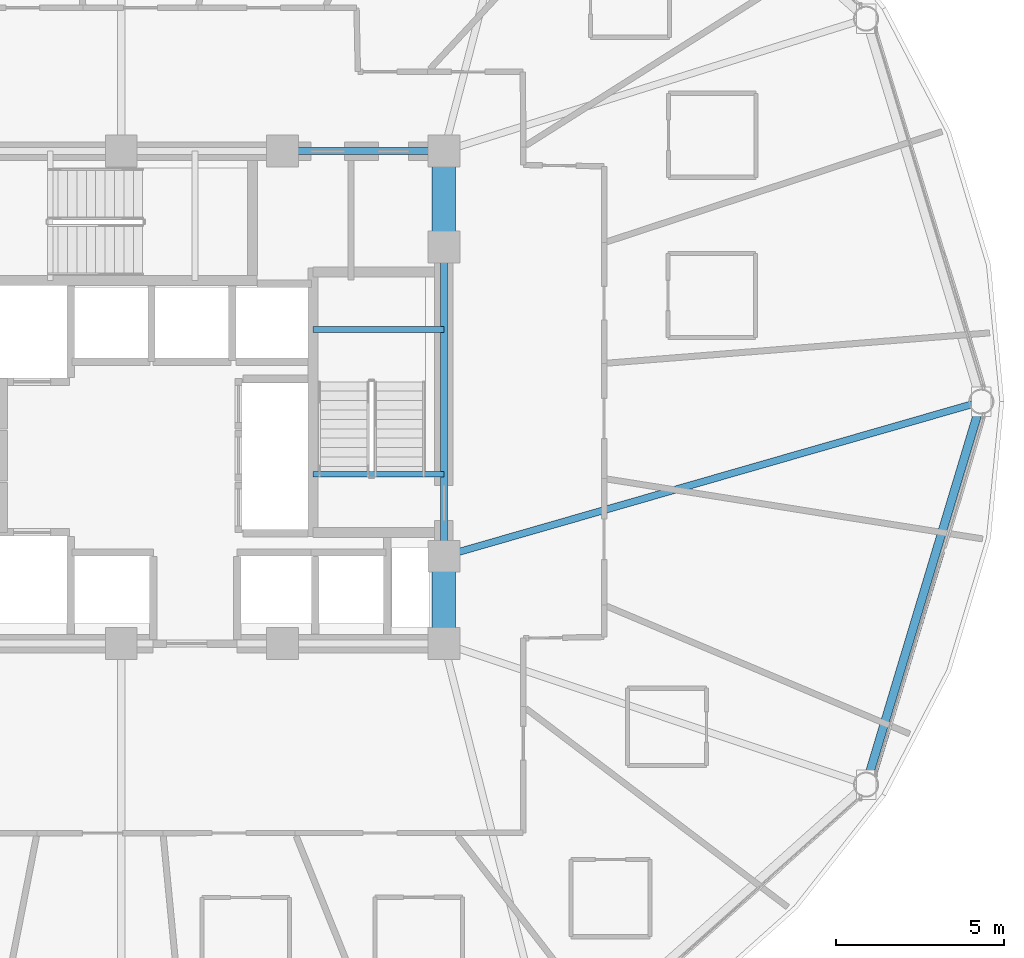
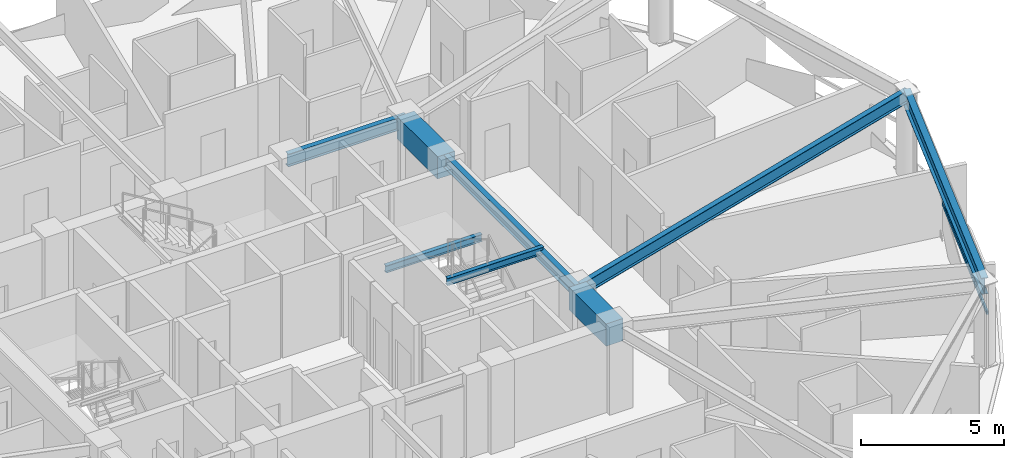
# One storey, part 12 of 32: 8 beams, 1 member, 1 element without a shape of its own.
"""IFC4 building model written with IfcOpenShell, lengths in metres."""

from ifc_helpers import new_model, si_unit, direction, frame, origin, origin_2d, place, context, subcontext, project, spatial, rectangle, hollow_rectangle, i_section, extrude, material, layer, layer_set, material_profile, profile_set, type_object, element, aggregate, save


model = new_model("IFC4")

# Units and contexts
model_context = context("Model", 3, precision=1e-05, world=origin(), true_north=direction((0.0, 1.0)))
body_context = subcontext(model_context, "Body", "Model", "MODEL_VIEW")
ifc_project = project(units=[si_unit("LENGTHUNIT", "METRE"), si_unit("AREAUNIT", "SQUARE_METRE"), si_unit("VOLUMEUNIT", "CUBIC_METRE"), si_unit("PLANEANGLEUNIT", "RADIAN"), si_unit("MASSUNIT", "GRAM", prefix="KILO")], contexts=[model_context])

# Site, building, storey
site_placement = place(None, origin())
site = spatial("IfcSite", under=ifc_project, at=site_placement, CompositionType="ELEMENT")
building_placement = place(site_placement, origin())
building = spatial("IfcBuilding", under=site, at=building_placement, Name="Vantalir Tower", CompositionType="ELEMENT")
storey_placement = place(building_placement, frame((0.0, 0.0, 100.949951171875)))
storey = spatial("IfcBuildingStorey", under=building, at=storey_placement, Name="L24", CompositionType="ELEMENT", Elevation=100.949951171875)

# Beams
ifc_material_1 = material(Name="Concrete C60/75", Category="concrete")
ifc_material_profile_1 = material_profile(ifc_material_1, rectangle(XDim=0.699951171875, YDim=0.949951171875, at=origin_2d()), Name="Concrete C60/75")
ifc_profile_set_1 = profile_set([ifc_material_profile_1], Name="Concrete C60/75")
beam_type_1 = type_object("IfcBeamType", Name="BM-CB-700x950", PredefinedType="USERDEFINED", material=ifc_profile_set_1)
beam_1_placement = place(storey_placement, frame((41.10009765625, 17.800048828125, 3.094970703125), z_axis=(0.0, 1.0, 0.0), x_axis=(-1.0, 0.0, 0.0)))
element("IfcBeam", 1, at=beam_1_placement, inside=storey, type_object=beam_type_1, Name="L24 Core Coupling Girder 05", ObjectType="GIRDER", PredefinedType="USERDEFINED", context=body_context, shape_type="SweptSolid", body=[
    extrude(rectangle(XDim=0.699951171875, YDim=0.949951171875, at=origin_2d()), origin(), (0.0, 0.0, 1.0), 2.599853515625),
])
beam_2_placement = place(storey_placement, frame((41.10009765625, 29.60009765625, 3.094970703125), z_axis=(0.0, 1.0, 0.0), x_axis=(-1.0, 0.0, 0.0)))
element("IfcBeam", 2, at=beam_2_placement, inside=storey, type_object=beam_type_1, Name="L24 Core Coupling Girder 07", ObjectType="GIRDER", PredefinedType="USERDEFINED", context=body_context, shape_type="SweptSolid", body=[
    extrude(rectangle(XDim=0.699951171875, YDim=0.949951171875, at=origin_2d()), origin(), (0.0, 0.0, 1.0), 2.849853515625),
])
ifc_material_2 = material(Name="Steel S355", Category="steel")
ifc_material_profile_2 = material_profile(ifc_material_2, i_section(OverallWidth=0.166015625, OverallDepth=0.306884765625, WebThickness=0.006591796875, FlangeThickness=0.01171875, at=origin_2d()), Name="Steel S355")
ifc_profile_set_2 = profile_set([ifc_material_profile_2], Name="Steel S355")
beam_type_2 = type_object("IfcBeamType", Name="BM-JS-305x165", PredefinedType="JOIST", material=ifc_profile_set_2)
for number, where, z_axis, x_axis, name in (
    (3, (37.2099609375, 22.8349609375, 3.59716796875), (1.0, 0.0, 0.0), (0.0, 1.0, 0.0), "L25 Stair ST2 Well Nosing Trimmer Beam"),
    (4, (37.2099609375, 27.14501953125, 1.52197265625), (1.0, 0.0, 0.0), (0.0, 1.0, 0.0), "L24 Stair ST2 Half-Landing Support Beam"),
):
    element("IfcBeam", number, at=place(storey_placement, frame(where, z_axis=z_axis, x_axis=x_axis)), inside=storey, type_object=beam_type_2, Name=name, PredefinedType="JOIST", context=body_context, shape_type="SweptSolid", body=[
        extrude(i_section(OverallWidth=0.166015625, OverallDepth=0.306884765625, WebThickness=0.006591796875, FlangeThickness=0.01171875, at=origin_2d()), origin(), (0.0, 0.0, 1.0), 3.89013671875),
    ])
ifc_material_profile_3 = material_profile(ifc_material_2, i_section(OverallWidth=0.2109375, OverallDepth=0.5390625, WebThickness=0.01171875, FlangeThickness=0.018798828125, at=origin_2d()), Name="Steel S355")
ifc_profile_set_3 = profile_set([ifc_material_profile_3], Name="Steel S355")
beam_type_3 = type_object("IfcBeamType", Name="BM-RB-533x210", PredefinedType="BEAM", material=ifc_profile_set_3)
beam_3_placement = place(storey_placement, frame((41.10009765625, 20.39990234375, 3.300048828125), z_axis=(0.0, 1.0, 0.0), x_axis=(-1.0, 0.0, 0.0)))
element("IfcBeam", 5, at=beam_3_placement, inside=storey, type_object=beam_type_3, Name="L24 Core Coupling Girder 06", PredefinedType="BEAM", context=body_context, shape_type="SweptSolid", body=[
    extrude(i_section(OverallWidth=0.2109375, OverallDepth=0.5390625, WebThickness=0.01171875, FlangeThickness=0.018798828125, at=origin_2d()), origin(), (0.0, 0.0, 1.0), 9.2001953125),
])
beam_4_placement = place(storey_placement, frame((41.10009765625, 32.449951171875, 3.300048828125), z_axis=(-1.0, 0.0, 0.0), x_axis=(0.0, -1.0, 0.0)))
element("IfcBeam", 6, at=beam_4_placement, inside=storey, type_object=beam_type_3, Name="L24 Core Coupling Girder 08", PredefinedType="BEAM", context=body_context, shape_type="SweptSolid", body=[
    extrude(i_section(OverallWidth=0.2109375, OverallDepth=0.5390625, WebThickness=0.01171875, FlangeThickness=0.018798828125, at=origin_2d()), origin(), (0.0, 0.0, 1.0), 4.800048828125),
])
beam_5_placement = place(storey_placement, frame((57.087890625, 25.0, 3.300048828125), z_axis=(-0.961011705277, -0.276507689442, 0.0), x_axis=(0.276507689442, -0.961011705277, 0.0)))
element("IfcBeam", 7, at=beam_5_placement, inside=storey, type_object=beam_type_3, Name="L24 Radial Floor Beam 01", PredefinedType="BEAM", context=body_context, shape_type="SweptSolid", body=[
    extrude(i_section(OverallWidth=0.2109375, OverallDepth=0.5390625, WebThickness=0.01171875, FlangeThickness=0.018798828125, at=origin_2d()), origin(), (0.0, 0.0, 1.0), 16.636474609375),
])
ifc_material_3 = material(Name="Steel S460", Category="steel")
ifc_material_profile_4 = material_profile(ifc_material_3, i_section(OverallWidth=0.256103515625, OverallDepth=0.693115234375, WebThickness=0.014404296875, FlangeThickness=0.023681640625, at=origin_2d()), Name="Steel S460")
ifc_profile_set_4 = profile_set([ifc_material_profile_4], Name="Steel S460")
beam_type_4 = type_object("IfcBeamType", Name="BM-RG-686x254", PredefinedType="USERDEFINED", material=ifc_profile_set_4)
beam_6_placement = place(storey_placement, frame((53.659912109375, 13.60595703125, 3.22314453125), z_axis=(0.288100770592, 0.95760009711, 0.0), x_axis=(-0.95760009711, 0.288100770592, 0.0)))
element("IfcBeam", 8, at=beam_6_placement, inside=storey, type_object=beam_type_4, Name="L24 Circumferential Ring Girder 12", ObjectType="GIRDER", PredefinedType="USERDEFINED", context=body_context, shape_type="SweptSolid", body=[
    extrude(i_section(OverallWidth=0.256103515625, OverallDepth=0.693115234375, WebThickness=0.014404296875, FlangeThickness=0.023681640625, at=origin_2d()), origin(), (0.0, 0.0, 1.0), 11.8984375),
])

# Curtain wall, member
ifc_material_4 = material(Name="Champagne-silver PVDF aluminium and double-silver Low-E glass", Category="aluminium")
ifc_layer = layer(ifc_material_4, 0.199951171875)
ifc_layer_set = layer_set([ifc_layer], Name="Champagne-silver PVDF aluminium and double-silver Low-E glass")
curtain_wall_type = type_object("IfcCurtainWallType", Name="CW-DIAMOND-Z2", PredefinedType="USERDEFINED", material=ifc_layer_set)
curtain_wall_placement = place(storey_placement, origin())
curtain_wall = element("IfcCurtainWall", 9, at=curtain_wall_placement, inside=storey, type_object=curtain_wall_type, Name="L24 Quilted Pyramid-Diamond Curtain Wall S12", ObjectType="UNITISED CURTAIN WALL", PredefinedType="USERDEFINED")
ifc_material_5 = material(Name="Champagne-silver PVDF aluminium 6063-T6", Category="aluminium")
ifc_material_profile_5 = material_profile(ifc_material_5, hollow_rectangle(XDim=0.074951171875, YDim=0.159912109375, WallThickness=0.00390625, at=origin_2d()), Name="Champagne-silver PVDF aluminium 6063-T6")
ifc_profile_set_5 = profile_set([ifc_material_profile_5], Name="Champagne-silver PVDF aluminium 6063-T6")
member_type = type_object("IfcMemberType", Name="CWT-160x75", PredefinedType="USERDEFINED", material=ifc_profile_set_5)
member_placement = place(storey_placement, frame((53.950927734375, 13.931884765625, 1.78515625), z_axis=(0.291191199966, 0.956664876047, 0.0), x_axis=(-0.956664876047, 0.291191199966, 0.0)))
member = element("IfcMember", 10, at=member_placement, type_object=member_type, Name="CW-L24-S12 Pyramid Fold Ridge Transom", ObjectType="TRANSOM", PredefinedType="USERDEFINED", context=body_context, shape_type="SweptSolid", body=[
    extrude(hollow_rectangle(XDim=0.074951171875, YDim=0.159912109375, WallThickness=0.00390625, at=origin_2d()), origin(), (0.0, 0.0, 1.0), 6.89599609375),
])
aggregate(curtain_wall, [member])

save(model, "model.ifc")
